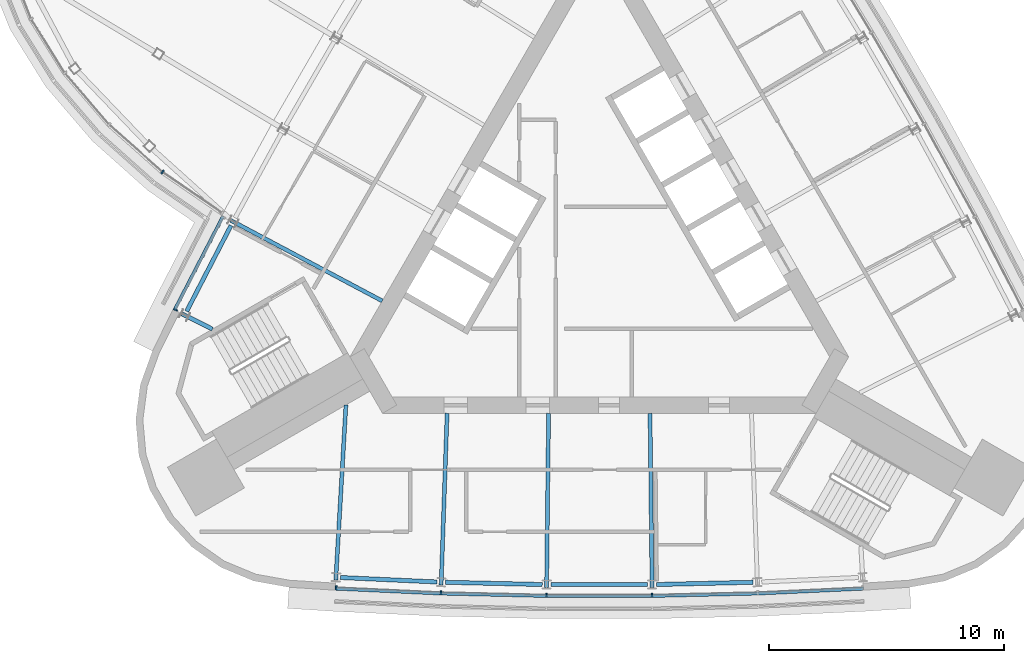
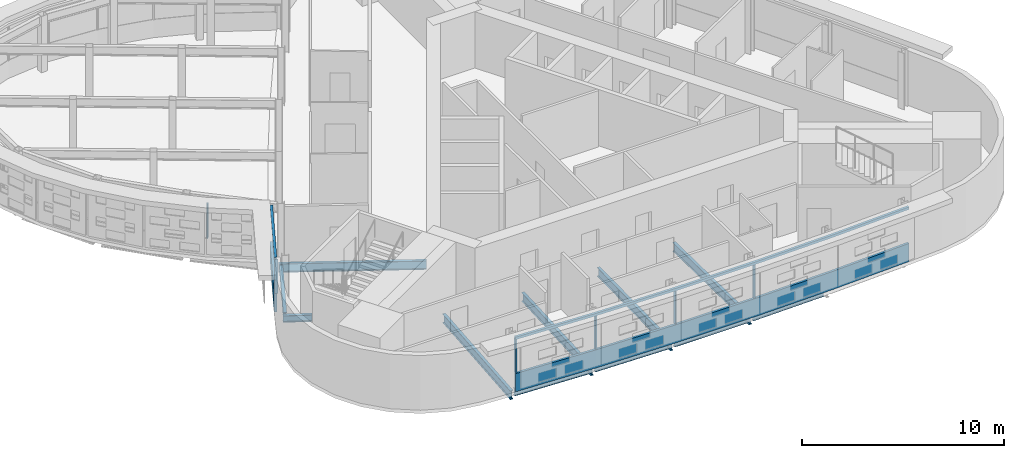
# One storey, part 4 of 13: 11 beams, 10 members, 3 elements without a shape of their own.
"""IFC4 building model written with IfcOpenShell, lengths in metres."""

from ifc_helpers import new_model, si_unit, direction, frame, origin, origin_2d, place, context, subcontext, project, spatial, polyline, rectangle, i_section, outline, extrude, material, material_profile, profile_set, type_object, element, aggregate, save


model = new_model("IFC4")

# Units and contexts
model_context = context("Model", 3, precision=1e-05, world=origin(), true_north=direction((0.0, 1.0)))
body_context = subcontext(model_context, "Body", "Model", "MODEL_VIEW")
ifc_project = project(units=[si_unit("LENGTHUNIT", "METRE"), si_unit("AREAUNIT", "SQUARE_METRE"), si_unit("VOLUMEUNIT", "CUBIC_METRE"), si_unit("PLANEANGLEUNIT", "RADIAN"), si_unit("MASSUNIT", "GRAM", prefix="KILO")], contexts=[model_context])

# Site, building, storey
site_placement = place(None, origin())
site = spatial("IfcSite", under=ifc_project, at=site_placement, CompositionType="ELEMENT")
building_placement = place(site_placement, origin())
building = spatial("IfcBuilding", under=site, at=building_placement, Name="Noor Cloister Tower", CompositionType="ELEMENT")
storey_placement = place(building_placement, frame((0.0, 0.0, 270.60009765625)))
storey = spatial("IfcBuildingStorey", under=building, at=storey_placement, Name="L69", CompositionType="ELEMENT", Elevation=270.60009765625)

# Curtain wall, member
ifc_material_1 = material(Name="Aluminium 6063-T6 anodised", Category="aluminium")
curtain_wall_type_1 = type_object("IfcCurtainWallType", Name="Ribbon curtain wall, upper tower CW5", PredefinedType="NOTDEFINED", material=ifc_material_1)
curtain_wall_1_placement = place(storey_placement, origin())
curtain_wall_1 = element("IfcCurtainWall", 1, at=curtain_wall_1_placement, inside=storey, type_object=curtain_wall_type_1, Name="CW5 L69 NW run 2", PredefinedType="NOTDEFINED")
ifc_material_2 = material(Name="Aluminium 6063-T6 anodised", Category="aluminium")
member_type_1 = type_object("IfcMemberType", Name="Head transom CW5 150", PredefinedType="USERDEFINED", material=ifc_material_2)
member_1_placement = place(storey_placement, frame((0.0, 0.0, 3.14990234375)))
member_1 = element("IfcMember", 2, at=member_1_placement, type_object=member_type_1, Name="CW5 head transom", ObjectType="TRANSOM", PredefinedType="USERDEFINED", context=body_context, shape_type="SweptSolid", body=[
    extrude(outline(polyline([(-16.078125, 1.489990234375), (-18.14501953125, -2.507080078125), (-18.0205078125, -2.5712890625), (-15.953857421875, 1.42578125), (-16.078125, 1.489990234375)])), origin(), (0.0, 0.0, 1.0), 0.14990234375),
])

curtain_wall_2_placement = place(storey_placement, origin())
curtain_wall_2 = element("IfcCurtainWall", 3, at=curtain_wall_2_placement, inside=storey, type_object=curtain_wall_type_1, Name="CW5 L69 S run 3", PredefinedType="NOTDEFINED")
member_2_placement = place(storey_placement, frame((0.0, 0.0, 3.14990234375)))
member_2 = element("IfcMember", 4, at=member_2_placement, type_object=member_type_1, Name="CW5 head transom", ObjectType="TRANSOM", PredefinedType="USERDEFINED", context=body_context, shape_type="SweptSolid", body=[
    extrude(outline(polyline([(-11.24365234375, -14.46044921875), (-6.74853515625, -14.669189453125), (-2.25, -14.7734375), (2.25, -14.7734375), (6.74853515625, -14.669189453125), (11.24365234375, -14.46044921875), (11.2373046875, -14.320556640625), (6.74365234375, -14.529296875), (2.248291015625, -14.633544921875), (-2.248291015625, -14.633544921875), (-6.74365234375, -14.529296875), (-11.2373046875, -14.320556640625), (-11.24365234375, -14.46044921875)])), origin(), (0.0, 0.0, 1.0), 0.14990234375),
])

# Member
ifc_material_3 = material(Name="Aluminium 6063-T6 anodised", Category="aluminium")
ifc_material_profile_1 = material_profile(ifc_material_3, rectangle(XDim=0.179931640625, YDim=0.070068359375, at=origin_2d()), Name="180 x 70 mullion")
ifc_profile_set_1 = profile_set([ifc_material_profile_1], Name="Aluminium 6063-T6 anodised")
member_type_2 = type_object("IfcMemberType", Name="Mullion CW5 70 x 180", PredefinedType="MULLION", material=ifc_profile_set_1)
member_3_placement = place(storey_placement, frame((-18.0400390625, -2.52197265625, 1.099853515625), z_axis=(0.0, 0.0, 1.0), x_axis=(0.888277980529, -0.459306247842, 0.0)))
member_3 = element("IfcMember", 5, at=member_3_placement, type_object=member_type_2, Name="CW5 mullion 2", PredefinedType="MULLION", context=body_context, shape_type="SweptSolid", body=[
    extrude(rectangle(XDim=0.179931640625, YDim=0.070068359375, at=origin_2d()), origin(), (0.0, 0.0, 1.0), 2.050048828125),
])

member_4_placement = place(storey_placement, frame((-11.2041015625, -14.3623046875, 1.099853515625), z_axis=(0.0, 0.0, 1.0), x_axis=(0.046368111516, 0.998924420682, 0.0)))
member_4 = element("IfcMember", 6, at=member_4_placement, type_object=member_type_2, Name="CW5 mullion 1", PredefinedType="MULLION", context=body_context, shape_type="SweptSolid", body=[
    extrude(rectangle(XDim=0.179931640625, YDim=0.070068359375, at=origin_2d()), origin(), (0.0, 0.0, 1.0), 2.050048828125),
])

member_5_placement = place(storey_placement, frame((-6.7451171875, -14.569091796875, 1.099853515625), z_axis=(0.0, 0.0, 1.0), x_axis=(0.034781531747, 0.999394939476, 0.0)))
member_5 = element("IfcMember", 7, at=member_5_placement, type_object=member_type_2, Name="CW5 mullion 2", PredefinedType="MULLION", context=body_context, shape_type="SweptSolid", body=[
    extrude(rectangle(XDim=0.179931640625, YDim=0.070068359375, at=origin_2d()), origin(), (0.0, 0.0, 1.0), 2.050048828125),
])

member_6_placement = place(storey_placement, frame((-2.248779296875, -14.673583984375, 1.099853515625), z_axis=(0.0, 0.0, 1.0), x_axis=(0.011595917099, 0.999932765093, 0.0)))
member_6 = element("IfcMember", 8, at=member_6_placement, type_object=member_type_2, Name="CW5 mullion 3", PredefinedType="MULLION", context=body_context, shape_type="SweptSolid", body=[
    extrude(rectangle(XDim=0.179931640625, YDim=0.070068359375, at=origin_2d()), origin(), (0.0, 0.0, 1.0), 2.050048828125),
])

member_7_placement = place(storey_placement, frame((2.248779296875, -14.673583984375, 1.099853515625), z_axis=(0.0, 0.0, 1.0), x_axis=(-0.011595917099, 0.999932765093, 0.0)))
member_7 = element("IfcMember", 9, at=member_7_placement, type_object=member_type_2, Name="CW5 mullion 4", PredefinedType="MULLION", context=body_context, shape_type="SweptSolid", body=[
    extrude(rectangle(XDim=0.179931640625, YDim=0.070068359375, at=origin_2d()), origin(), (0.0, 0.0, 1.0), 2.050048828125),
])

# Curtain wall, member
ifc_material_4 = material(Name="Aluminium 6063-T6 anodised", Category="aluminium")
curtain_wall_type_2 = type_object("IfcCurtainWallType", Name="Sky bar curtain wall, upper bars CW6", PredefinedType="NOTDEFINED", material=ifc_material_4)
curtain_wall_3_placement = place(storey_placement, origin())
curtain_wall_3 = element("IfcCurtainWall", 10, at=curtain_wall_3_placement, inside=storey, type_object=curtain_wall_type_2, Name="CW6 L69 NW sky bar run 1", PredefinedType="NOTDEFINED")
ifc_material_5 = material(Name="Aluminium 6063-T6 anodised", Category="aluminium")
ifc_material_profile_2 = material_profile(ifc_material_5, rectangle(XDim=0.179931640625, YDim=0.070068359375, at=origin_2d()), Name="180 x 70 mullion")
ifc_profile_set_2 = profile_set([ifc_material_profile_2], Name="Aluminium 6063-T6 anodised")
member_type_3 = type_object("IfcMemberType", Name="Mullion CW6 70 x 180", PredefinedType="MULLION", material=ifc_profile_set_2)
member_8_placement = place(storey_placement, frame((-18.594482421875, 3.339111328125, 1.099853515625), z_axis=(0.0, 0.0, 1.0), x_axis=(0.616644238859, 0.787241946724, 0.0)))
member_8 = element("IfcMember", 11, at=member_8_placement, type_object=member_type_3, Name="CW6 mullion 16", PredefinedType="MULLION", context=body_context, shape_type="SweptSolid", body=[
    extrude(rectangle(XDim=0.179931640625, YDim=0.070068359375, at=origin_2d()), origin(), (0.0, 0.0, 1.0), 2.050048828125),
])
aggregate(curtain_wall_3, [member_8])

# Beams
ifc_material_6 = material(Name="Steel ASTM A992 Gr 50", Category="steel")
ifc_material_profile_3 = material_profile(ifc_material_6, i_section(OverallWidth=0.177978515625, OverallDepth=0.406005859375, WebThickness=0.0078125, FlangeThickness=0.0126953125, FilletRadius=0.01025390625, at=origin_2d()), Name="W410x60")
ifc_profile_set_3 = profile_set([ifc_material_profile_3], Name="Steel ASTM A992 Gr 50")
beam_type_1 = type_object("IfcBeamType", Name="Radial beam W410x60", PredefinedType="BEAM", material=ifc_profile_set_3)
beam_1_placement = place(storey_placement, frame((-17.76025390625, -2.700439453125, -0.403076171875), z_axis=(0.893545786666, -0.448972078344, 0.0), x_axis=(0.448972078344, 0.893545786666, 0.0)))
element("IfcBeam", 12, at=beam_1_placement, inside=storey, type_object=beam_type_1, Name="Radial beam NW 06 L69", PredefinedType="BEAM", context=body_context, shape_type="SweptSolid", body=[
    extrude(i_section(OverallWidth=0.177978515625, OverallDepth=0.406005859375, WebThickness=0.0078125, FlangeThickness=0.0126953125, FilletRadius=0.01025390625, at=origin_2d()), origin(), (0.0, 0.0, 1.0), 1.443115234375),
])
ifc_material_7 = material(Name="Steel ASTM A992 Gr 50", Category="steel")
ifc_material_profile_4 = material_profile(ifc_material_7, i_section(OverallWidth=0.166015625, OverallDepth=0.528076171875, WebThickness=0.009765625, FlangeThickness=0.013671875, FilletRadius=0.0126953125, at=origin_2d()), Name="W530x74")
ifc_profile_set_4 = profile_set([ifc_material_profile_4], Name="Steel ASTM A992 Gr 50")
beam_type_2 = type_object("IfcBeamType", Name="Radial beam W530x74", PredefinedType="BEAM", material=ifc_profile_set_4)
beam_2_placement = place(storey_placement, frame((-15.697998046875, 1.287841796875, -0.464111328125), z_axis=(0.882903889785, -0.469553747085, 0.0), x_axis=(0.469553747085, 0.882903889785, 0.0)))
element("IfcBeam", 13, at=beam_2_placement, inside=storey, type_object=beam_type_2, Name="Radial beam NW 05 L69", PredefinedType="BEAM", context=body_context, shape_type="SweptSolid", body=[
    extrude(i_section(OverallWidth=0.166015625, OverallDepth=0.528076171875, WebThickness=0.009765625, FlangeThickness=0.013671875, FilletRadius=0.0126953125, at=origin_2d()), origin(), (0.0, 0.0, 1.0), 7.31494140625),
])
beam_3_placement = place(storey_placement, frame((-11.21875, -14.03076171875, -0.464111328125), z_axis=(0.057949858057, 0.998319494927, 0.0), x_axis=(-0.998319494927, 0.057949858057, 0.0)))
element("IfcBeam", 14, at=beam_3_placement, inside=storey, type_object=beam_type_2, Name="Radial beam S 01 L69", PredefinedType="BEAM", context=body_context, shape_type="SweptSolid", body=[
    extrude(i_section(OverallWidth=0.166015625, OverallDepth=0.528076171875, WebThickness=0.009765625, FlangeThickness=0.013671875, FilletRadius=0.0126953125, at=origin_2d()), origin(), (0.0, 0.0, 1.0), 7.469482421875),
])
beam_4_placement = place(storey_placement, frame((-6.733642578125, -14.23876953125, -0.464111328125), z_axis=(0.034777240267, 0.999395088821, 0.0), x_axis=(-0.999395088821, 0.034777240267, 0.0)))
element("IfcBeam", 15, at=beam_4_placement, inside=storey, type_object=beam_type_2, Name="Radial beam S 02 L69", PredefinedType="BEAM", context=body_context, shape_type="SweptSolid", body=[
    extrude(i_section(OverallWidth=0.166015625, OverallDepth=0.528076171875, WebThickness=0.009765625, FlangeThickness=0.013671875, FilletRadius=0.0126953125, at=origin_2d()), origin(), (0.0, 0.0, 1.0), 7.31494140625),
])
for number, where, z_axis, x_axis, name in (
    (16, (-2.244873046875, -14.343017578125, -0.464111328125), (0.011589225268, 0.999932842674, 0.0), (-0.999932842674, 0.011589225268, 0.0), "Radial beam S 03 L69"),
    (17, (2.244873046875, -14.343017578125, -0.464111328125), (-0.011589225268, 0.999932842674, 0.0), (-0.999932842674, -0.011589225268, 0.0), "Radial beam S 04 L69"),
):
    element("IfcBeam", number, at=place(storey_placement, frame(where, z_axis=z_axis, x_axis=x_axis)), inside=storey, type_object=beam_type_2, Name=name, PredefinedType="BEAM", context=body_context, shape_type="SweptSolid", body=[
        extrude(i_section(OverallWidth=0.166015625, OverallDepth=0.528076171875, WebThickness=0.009765625, FlangeThickness=0.013671875, FilletRadius=0.0126953125, at=origin_2d()), origin(), (0.0, 0.0, 1.0), 7.415283203125),
    ])

# Member
ifc_material_8 = material(Name="Aluminium 6063-T6 anodised", Category="aluminium")
member_type_4 = type_object("IfcMemberType", Name="Sill transom CW5 1100", PredefinedType="USERDEFINED", material=ifc_material_8)
member_9_placement = place(storey_placement, origin())
member_9 = element("IfcMember", 18, at=member_9_placement, type_object=member_type_4, Name="CW5 sill transom", ObjectType="TRANSOM", PredefinedType="USERDEFINED", context=body_context, shape_type="SweptSolid", body=[
    extrude(outline(polyline([(-16.078125, 1.489990234375), (-18.14501953125, -2.507080078125), (-18.0205078125, -2.5712890625), (-15.953857421875, 1.42578125), (-16.078125, 1.489990234375)])), origin(), (0.0, 0.0, 1.0), 1.099853515625),
])

aggregate(curtain_wall_1, [member_3, member_9, member_1])

member_10_placement = place(storey_placement, origin())
member_10 = element("IfcMember", 19, at=member_10_placement, type_object=member_type_4, Name="CW5 sill transom", ObjectType="TRANSOM", PredefinedType="USERDEFINED", context=body_context, shape_type="SweptSolid", body=[
    extrude(outline(polyline([(-11.24365234375, -14.46044921875), (-6.74853515625, -14.669189453125), (-2.25, -14.7734375), (2.25, -14.7734375), (6.74853515625, -14.669189453125), (11.24365234375, -14.46044921875), (11.2373046875, -14.320556640625), (6.74365234375, -14.529296875), (2.248291015625, -14.633544921875), (-2.248291015625, -14.633544921875), (-6.74365234375, -14.529296875), (-11.2373046875, -14.320556640625), (-11.24365234375, -14.46044921875)])), origin(), (0.0, 0.0, 1.0), 1.099853515625),
])

aggregate(curtain_wall_2, [member_4, member_5, member_6, member_7, member_10, member_2])

# Beams
ifc_material_9 = material(Name="Steel ASTM A992 Gr 50", Category="steel")
ifc_material_profile_5 = material_profile(ifc_material_9, i_section(OverallWidth=0.177978515625, OverallDepth=0.406005859375, WebThickness=0.0078125, FlangeThickness=0.0126953125, FilletRadius=0.01025390625, at=origin_2d()), Name="W410x60")
ifc_profile_set_5 = profile_set([ifc_material_profile_5], Name="Steel ASTM A992 Gr 50")
beam_type_3 = type_object("IfcBeamType", Name="Spandrel beam W410x60", PredefinedType="SPANDREL", material=ifc_profile_set_5)
beam_5_placement = place(storey_placement, frame((-15.677734375, 1.067138671875, -0.403076171875), z_axis=(-0.459295448048, -0.888283564749, 0.0), x_axis=(0.888283564749, -0.459295448048, 0.0)))
element("IfcBeam", 20, at=beam_5_placement, inside=storey, type_object=beam_type_3, Name="Spandrel beam NW 05 L69", PredefinedType="SPANDREL", context=body_context, shape_type="SweptSolid", body=[
    extrude(i_section(OverallWidth=0.177978515625, OverallDepth=0.406005859375, WebThickness=0.0078125, FlangeThickness=0.0126953125, FilletRadius=0.01025390625, at=origin_2d()), origin(), (0.0, 0.0, 1.0), 4.116455078125),
])
for number, where, z_axis, x_axis, name in (
    (21, (-11.026611328125, -13.919921875, -0.403076171875), (0.998923795857, -0.046381570381, 0.0), (0.046381570381, 0.998923795857, 0.0), "Spandrel beam S 01 L69"),
    (22, (-6.5439453125, -14.123779296875, -0.403076171875), (0.999731038099, -0.023191624794, 0.0), (0.023191624794, 0.999731038099, 0.0), "Spandrel beam S 02 L69"),
    (23, (-2.05810546875, -14.2236328125, -0.403076171875), (1.0, 0.0, 0.0), (0.0, 1.0, 0.0), "Spandrel beam S 03 L69"),
    (24, (2.428955078125, -14.21923828125, -0.403076171875), (0.999731038099, 0.023191624794, 0.0), (-0.023191624794, 0.999731038099, 0.0), "Spandrel beam S 04 L69"),
):
    element("IfcBeam", number, at=place(storey_placement, frame(where, z_axis=z_axis, x_axis=x_axis)), inside=storey, type_object=beam_type_3, Name=name, PredefinedType="SPANDREL", context=body_context, shape_type="SweptSolid", body=[
        extrude(i_section(OverallWidth=0.177978515625, OverallDepth=0.406005859375, WebThickness=0.0078125, FlangeThickness=0.0126953125, FilletRadius=0.01025390625, at=origin_2d()), origin(), (0.0, 0.0, 1.0), 4.1162109375),
    ])

save(model, "model.ifc")
